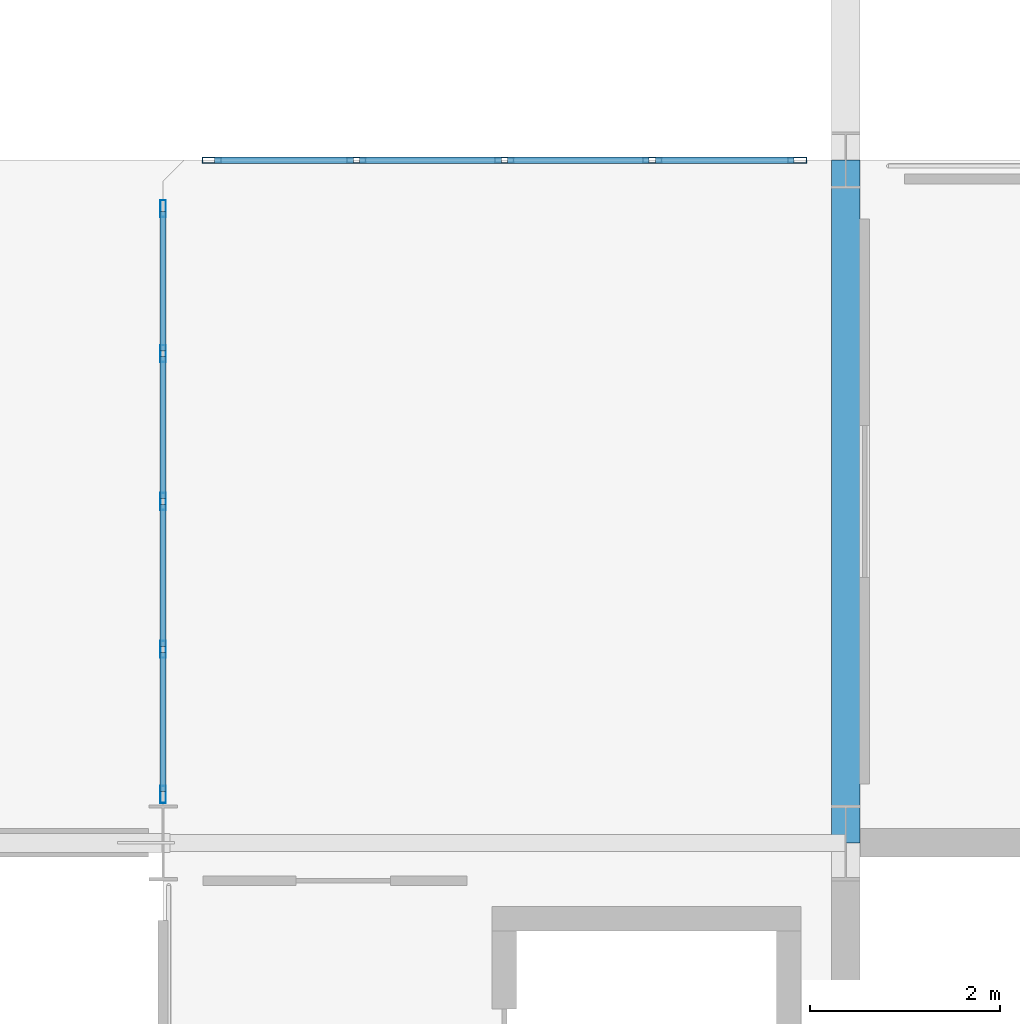
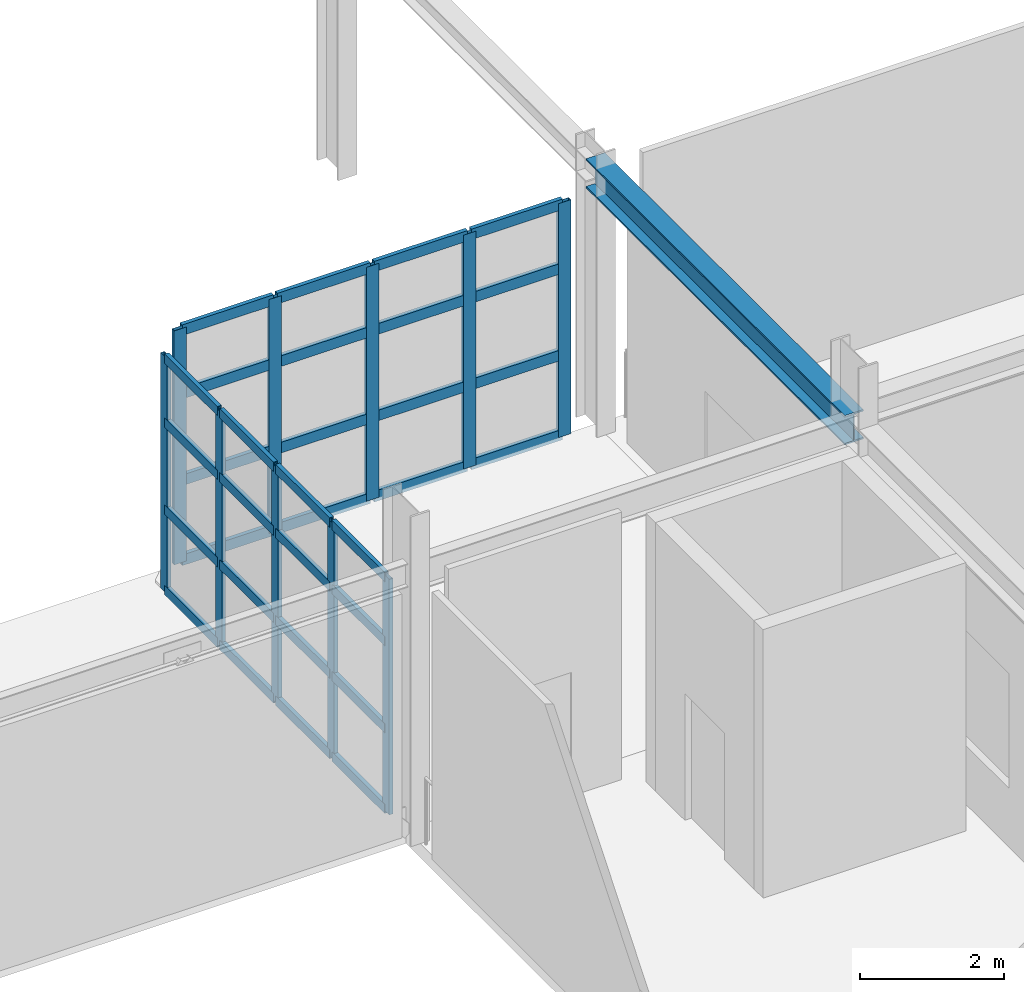
# One storey, part 62 of 126: 42 members, 1 beam, 2 elements without a shape of their own.
"""IFC4 building model written with IfcOpenShell, lengths in metres."""

from ifc_helpers import new_model, si_unit, direction, frame, origin, origin_2d, place, context, subcontext, project, spatial, hollow_rectangle, i_section, extrude, material, layer, layer_set, material_profile, profile_set, type_object, element, aggregate, save


model = new_model("IFC4")

# Units and contexts
model_context = context("Model", 3, precision=1e-05, world=origin(), true_north=direction((0.0, 1.0)))
body_context = subcontext(model_context, "Body", "Model", "MODEL_VIEW")
ifc_project = project(units=[si_unit("LENGTHUNIT", "METRE"), si_unit("AREAUNIT", "SQUARE_METRE"), si_unit("VOLUMEUNIT", "CUBIC_METRE"), si_unit("PLANEANGLEUNIT", "RADIAN"), si_unit("MASSUNIT", "GRAM", prefix="KILO")], contexts=[model_context])

# Site, building, storey
site_placement = place(None, origin())
site = spatial("IfcSite", under=ifc_project, at=site_placement, CompositionType="ELEMENT")
building_placement = place(site_placement, origin())
building = spatial("IfcBuilding", under=site, at=building_placement, Name="Solvadek Multi-Sports Hall", CompositionType="ELEMENT")
storey_placement = place(building_placement, frame((0.0, 0.0, 9.60009765625)))
storey = spatial("IfcBuildingStorey", under=building, at=storey_placement, Name="L02", CompositionType="ELEMENT", Elevation=9.60009765625)

# Curtain wall, members
ifc_material_1 = material(Name="Anodised aluminium", Category="aluminium")
ifc_layer_1 = layer(ifc_material_1, 0.159912109375, Name="Anodised aluminium")
ifc_layer_set_1 = layer_set([ifc_layer_1], Name="Anodised aluminium")
curtain_wall_type_1 = type_object("IfcCurtainWallType", Name="ENV-CW-624X400", PredefinedType="USERDEFINED", material=ifc_layer_set_1)
curtain_wall_1_placement = place(storey_placement, origin())
curtain_wall_1 = element("IfcCurtainWall", 1, at=curtain_wall_1_placement, inside=storey, type_object=curtain_wall_type_1, Name="L02 Perimeter Bay Curtain Wall #210", ObjectType="CURTAIN WALL", PredefinedType="USERDEFINED")
ifc_material_profile_1 = material_profile(ifc_material_1, hollow_rectangle(XDim=0.06005859375, YDim=0.179931640625, WallThickness=0.00390625, at=origin_2d()), Name="ALU-M 180x60x4")
ifc_profile_set_1 = profile_set([ifc_material_profile_1], Name="Anodised aluminium")
member_type_1 = type_object("IfcMemberType", Name="ENV-CWM-02", PredefinedType="MULLION", material=ifc_profile_set_1)
member_1_placement = place(storey_placement, frame((129.60009765625, 42.510009765625, 0.0), z_axis=(0.0, 0.0, 1.0), x_axis=(-1.0, 0.0, 0.0)))
member_1 = element("IfcMember", 2, at=member_1_placement, type_object=member_type_1, Name="CW-56 mullion 1", PredefinedType="MULLION", context=body_context, shape_type="SweptSolid", body=[
    extrude(hollow_rectangle(XDim=0.06005859375, YDim=0.179931640625, WallThickness=0.00390625, at=origin_2d()), origin(), (0.0, 0.0, 1.0), 4.0),
])
member_2_placement = place(storey_placement, frame((129.60009765625, 44.0400390625, 0.0), z_axis=(0.0, 0.0, 1.0), x_axis=(-1.0, 0.0, 0.0)))
member_2 = element("IfcMember", 3, at=member_2_placement, type_object=member_type_1, Name="CW-56 mullion 2", PredefinedType="MULLION", context=body_context, shape_type="SweptSolid", body=[
    extrude(hollow_rectangle(XDim=0.06005859375, YDim=0.179931640625, WallThickness=0.00390625, at=origin_2d()), origin(), (0.0, 0.0, 1.0), 4.0),
])
member_3_placement = place(storey_placement, frame((129.60009765625, 45.60009765625, 0.0), z_axis=(0.0, 0.0, 1.0), x_axis=(-1.0, 0.0, 0.0)))
member_3 = element("IfcMember", 4, at=member_3_placement, type_object=member_type_1, Name="CW-56 mullion 3", PredefinedType="MULLION", context=body_context, shape_type="SweptSolid", body=[
    extrude(hollow_rectangle(XDim=0.06005859375, YDim=0.179931640625, WallThickness=0.00390625, at=origin_2d()), origin(), (0.0, 0.0, 1.0), 4.0),
])
member_4_placement = place(storey_placement, frame((129.60009765625, 47.159912109375, 0.0), z_axis=(0.0, 0.0, 1.0), x_axis=(-1.0, 0.0, 0.0)))
member_4 = element("IfcMember", 5, at=member_4_placement, type_object=member_type_1, Name="CW-56 mullion 4", PredefinedType="MULLION", context=body_context, shape_type="SweptSolid", body=[
    extrude(hollow_rectangle(XDim=0.06005859375, YDim=0.179931640625, WallThickness=0.00390625, at=origin_2d()), origin(), (0.0, 0.0, 1.0), 4.0),
])
member_5_placement = place(storey_placement, frame((129.60009765625, 48.68994140625, 0.0), z_axis=(0.0, 0.0, 1.0), x_axis=(-1.0, 0.0, 0.0)))
member_5 = element("IfcMember", 6, at=member_5_placement, type_object=member_type_1, Name="CW-56 mullion 5", PredefinedType="MULLION", context=body_context, shape_type="SweptSolid", body=[
    extrude(hollow_rectangle(XDim=0.06005859375, YDim=0.179931640625, WallThickness=0.00390625, at=origin_2d()), origin(), (0.0, 0.0, 1.0), 4.0),
])

ifc_layer_2 = layer(ifc_material_1, 0.159912109375, Name="Anodised aluminium")
ifc_layer_set_2 = layer_set([ifc_layer_2], Name="Anodised aluminium")
curtain_wall_type_2 = type_object("IfcCurtainWallType", Name="ENV-CW-624X397", PredefinedType="USERDEFINED", material=ifc_layer_set_2)
curtain_wall_2_placement = place(storey_placement, origin())
curtain_wall_2 = element("IfcCurtainWall", 7, at=curtain_wall_2_placement, inside=storey, type_object=curtain_wall_type_2, Name="L02 Perimeter Bay Curtain Wall #211", ObjectType="CURTAIN WALL", PredefinedType="USERDEFINED")
ifc_material_profile_2 = material_profile(ifc_material_1, hollow_rectangle(XDim=0.06494140625, YDim=0.199951171875, WallThickness=0.0048828125, at=origin_2d()), Name="ALU-M 200x65x5")
ifc_profile_set_2 = profile_set([ifc_material_profile_2], Name="Anodised aluminium")
member_type_2 = type_object("IfcMemberType", Name="ENV-CWM-03", PredefinedType="MULLION", material=ifc_profile_set_2)
member_6_placement = place(storey_placement, frame((130.112548828125, 49.199951171875, 0.0), z_axis=(0.0, 0.0, 1.0), x_axis=(0.0, 1.0, 0.0)))
member_6 = element("IfcMember", 8, at=member_6_placement, type_object=member_type_2, Name="CW-57 mullion 1", PredefinedType="MULLION", context=body_context, shape_type="SweptSolid", body=[
    extrude(hollow_rectangle(XDim=0.06494140625, YDim=0.199951171875, WallThickness=0.0048828125, at=origin_2d()), origin(), (0.0, 0.0, 1.0), 3.974853515625),
])
member_7_placement = place(storey_placement, frame((131.639892578125, 49.199951171875, 0.0), z_axis=(0.0, 0.0, 1.0), x_axis=(0.0, 1.0, 0.0)))
member_7 = element("IfcMember", 9, at=member_7_placement, type_object=member_type_2, Name="CW-57 mullion 2", PredefinedType="MULLION", context=body_context, shape_type="SweptSolid", body=[
    extrude(hollow_rectangle(XDim=0.06494140625, YDim=0.199951171875, WallThickness=0.0048828125, at=origin_2d()), origin(), (0.0, 0.0, 1.0), 3.974853515625),
])
member_8_placement = place(storey_placement, frame((133.199951171875, 49.199951171875, 0.0), z_axis=(0.0, 0.0, 1.0), x_axis=(0.0, 1.0, 0.0)))
member_8 = element("IfcMember", 10, at=member_8_placement, type_object=member_type_2, Name="CW-57 mullion 3", PredefinedType="MULLION", context=body_context, shape_type="SweptSolid", body=[
    extrude(hollow_rectangle(XDim=0.06494140625, YDim=0.199951171875, WallThickness=0.0048828125, at=origin_2d()), origin(), (0.0, 0.0, 1.0), 3.974853515625),
])
member_9_placement = place(storey_placement, frame((134.760009765625, 49.199951171875, 0.0), z_axis=(0.0, 0.0, 1.0), x_axis=(0.0, 1.0, 0.0)))
member_9 = element("IfcMember", 11, at=member_9_placement, type_object=member_type_2, Name="CW-57 mullion 4", PredefinedType="MULLION", context=body_context, shape_type="SweptSolid", body=[
    extrude(hollow_rectangle(XDim=0.06494140625, YDim=0.199951171875, WallThickness=0.0048828125, at=origin_2d()), origin(), (0.0, 0.0, 1.0), 3.974853515625),
])
member_10_placement = place(storey_placement, frame((136.28759765625, 49.199951171875, 0.0), z_axis=(0.0, 0.0, 1.0), x_axis=(0.0, 1.0, 0.0)))
member_10 = element("IfcMember", 12, at=member_10_placement, type_object=member_type_2, Name="CW-57 mullion 5", PredefinedType="MULLION", context=body_context, shape_type="SweptSolid", body=[
    extrude(hollow_rectangle(XDim=0.06494140625, YDim=0.199951171875, WallThickness=0.0048828125, at=origin_2d()), origin(), (0.0, 0.0, 1.0), 3.974853515625),
])

# Member
ifc_material_profile_3 = material_profile(ifc_material_1, hollow_rectangle(XDim=0.06494140625, YDim=0.159912109375, WallThickness=0.00390625, at=origin_2d()), Name="ALU-T 160x65x4")
ifc_profile_set_3 = profile_set([ifc_material_profile_3], Name="Anodised aluminium")
member_type_3 = type_object("IfcMemberType", Name="ENV-CWT-03", PredefinedType="USERDEFINED", material=ifc_profile_set_3)
member_11_placement = place(storey_placement, frame((129.60009765625, 42.5400390625, 0.032470703125), z_axis=(0.0, 1.0, 0.0), x_axis=(-1.0, 0.0, 0.0)))
member_11 = element("IfcMember", 13, at=member_11_placement, type_object=member_type_3, Name="CW-56 transom 1.1", ObjectType="TRANSOM", PredefinedType="USERDEFINED", context=body_context, shape_type="SweptSolid", body=[
    extrude(hollow_rectangle(XDim=0.06494140625, YDim=0.159912109375, WallThickness=0.00390625, at=origin_2d()), origin(), (0.0, 0.0, 1.0), 1.469970703125),
])

member_12_placement = place(storey_placement, frame((129.60009765625, 42.5400390625, 1.39990234375), z_axis=(0.0, 1.0, 0.0), x_axis=(-1.0, 0.0, 0.0)))
member_12 = element("IfcMember", 14, at=member_12_placement, type_object=member_type_3, Name="CW-56 transom 1.2", ObjectType="TRANSOM", PredefinedType="USERDEFINED", context=body_context, shape_type="SweptSolid", body=[
    extrude(hollow_rectangle(XDim=0.06494140625, YDim=0.159912109375, WallThickness=0.00390625, at=origin_2d()), origin(), (0.0, 0.0, 1.0), 1.469970703125),
])

member_13_placement = place(storey_placement, frame((129.60009765625, 42.5400390625, 2.8798828125), z_axis=(0.0, 1.0, 0.0), x_axis=(-1.0, 0.0, 0.0)))
member_13 = element("IfcMember", 15, at=member_13_placement, type_object=member_type_3, Name="CW-56 transom 1.3", ObjectType="TRANSOM", PredefinedType="USERDEFINED", context=body_context, shape_type="SweptSolid", body=[
    extrude(hollow_rectangle(XDim=0.06494140625, YDim=0.159912109375, WallThickness=0.00390625, at=origin_2d()), origin(), (0.0, 0.0, 1.0), 1.469970703125),
])

member_14_placement = place(storey_placement, frame((129.60009765625, 42.5400390625, 3.96728515625), z_axis=(0.0, 1.0, 0.0), x_axis=(-1.0, 0.0, 0.0)))
member_14 = element("IfcMember", 16, at=member_14_placement, type_object=member_type_3, Name="CW-56 transom 1.4", ObjectType="TRANSOM", PredefinedType="USERDEFINED", context=body_context, shape_type="SweptSolid", body=[
    extrude(hollow_rectangle(XDim=0.06494140625, YDim=0.159912109375, WallThickness=0.00390625, at=origin_2d()), origin(), (0.0, 0.0, 1.0), 1.469970703125),
])

member_15_placement = place(storey_placement, frame((129.60009765625, 44.070068359375, 0.032470703125), z_axis=(0.0, 1.0, 0.0), x_axis=(-1.0, 0.0, 0.0)))
member_15 = element("IfcMember", 17, at=member_15_placement, type_object=member_type_3, Name="CW-56 transom 2.1", ObjectType="TRANSOM", PredefinedType="USERDEFINED", context=body_context, shape_type="SweptSolid", body=[
    extrude(hollow_rectangle(XDim=0.06494140625, YDim=0.159912109375, WallThickness=0.00390625, at=origin_2d()), origin(), (0.0, 0.0, 1.0), 1.5),
])

member_16_placement = place(storey_placement, frame((129.60009765625, 44.070068359375, 1.39990234375), z_axis=(0.0, 1.0, 0.0), x_axis=(-1.0, 0.0, 0.0)))
member_16 = element("IfcMember", 18, at=member_16_placement, type_object=member_type_3, Name="CW-56 transom 2.2", ObjectType="TRANSOM", PredefinedType="USERDEFINED", context=body_context, shape_type="SweptSolid", body=[
    extrude(hollow_rectangle(XDim=0.06494140625, YDim=0.159912109375, WallThickness=0.00390625, at=origin_2d()), origin(), (0.0, 0.0, 1.0), 1.5),
])

member_17_placement = place(storey_placement, frame((129.60009765625, 44.070068359375, 2.8798828125), z_axis=(0.0, 1.0, 0.0), x_axis=(-1.0, 0.0, 0.0)))
member_17 = element("IfcMember", 19, at=member_17_placement, type_object=member_type_3, Name="CW-56 transom 2.3", ObjectType="TRANSOM", PredefinedType="USERDEFINED", context=body_context, shape_type="SweptSolid", body=[
    extrude(hollow_rectangle(XDim=0.06494140625, YDim=0.159912109375, WallThickness=0.00390625, at=origin_2d()), origin(), (0.0, 0.0, 1.0), 1.5),
])

member_18_placement = place(storey_placement, frame((129.60009765625, 44.070068359375, 3.96728515625), z_axis=(0.0, 1.0, 0.0), x_axis=(-1.0, 0.0, 0.0)))
member_18 = element("IfcMember", 20, at=member_18_placement, type_object=member_type_3, Name="CW-56 transom 2.4", ObjectType="TRANSOM", PredefinedType="USERDEFINED", context=body_context, shape_type="SweptSolid", body=[
    extrude(hollow_rectangle(XDim=0.06494140625, YDim=0.159912109375, WallThickness=0.00390625, at=origin_2d()), origin(), (0.0, 0.0, 1.0), 1.5),
])

member_19_placement = place(storey_placement, frame((129.60009765625, 45.6298828125, 0.032470703125), z_axis=(0.0, 1.0, 0.0), x_axis=(-1.0, 0.0, 0.0)))
member_19 = element("IfcMember", 21, at=member_19_placement, type_object=member_type_3, Name="CW-56 transom 3.1", ObjectType="TRANSOM", PredefinedType="USERDEFINED", context=body_context, shape_type="SweptSolid", body=[
    extrude(hollow_rectangle(XDim=0.06494140625, YDim=0.159912109375, WallThickness=0.00390625, at=origin_2d()), origin(), (0.0, 0.0, 1.0), 1.5),
])

member_20_placement = place(storey_placement, frame((129.60009765625, 45.6298828125, 1.39990234375), z_axis=(0.0, 1.0, 0.0), x_axis=(-1.0, 0.0, 0.0)))
member_20 = element("IfcMember", 22, at=member_20_placement, type_object=member_type_3, Name="CW-56 transom 3.2", ObjectType="TRANSOM", PredefinedType="USERDEFINED", context=body_context, shape_type="SweptSolid", body=[
    extrude(hollow_rectangle(XDim=0.06494140625, YDim=0.159912109375, WallThickness=0.00390625, at=origin_2d()), origin(), (0.0, 0.0, 1.0), 1.5),
])

member_21_placement = place(storey_placement, frame((129.60009765625, 45.6298828125, 2.8798828125), z_axis=(0.0, 1.0, 0.0), x_axis=(-1.0, 0.0, 0.0)))
member_21 = element("IfcMember", 23, at=member_21_placement, type_object=member_type_3, Name="CW-56 transom 3.3", ObjectType="TRANSOM", PredefinedType="USERDEFINED", context=body_context, shape_type="SweptSolid", body=[
    extrude(hollow_rectangle(XDim=0.06494140625, YDim=0.159912109375, WallThickness=0.00390625, at=origin_2d()), origin(), (0.0, 0.0, 1.0), 1.5),
])

member_22_placement = place(storey_placement, frame((129.60009765625, 45.6298828125, 3.96728515625), z_axis=(0.0, 1.0, 0.0), x_axis=(-1.0, 0.0, 0.0)))
member_22 = element("IfcMember", 24, at=member_22_placement, type_object=member_type_3, Name="CW-56 transom 3.4", ObjectType="TRANSOM", PredefinedType="USERDEFINED", context=body_context, shape_type="SweptSolid", body=[
    extrude(hollow_rectangle(XDim=0.06494140625, YDim=0.159912109375, WallThickness=0.00390625, at=origin_2d()), origin(), (0.0, 0.0, 1.0), 1.5),
])

member_23_placement = place(storey_placement, frame((129.60009765625, 47.18994140625, 0.032470703125), z_axis=(0.0, 1.0, 0.0), x_axis=(-1.0, 0.0, 0.0)))
member_23 = element("IfcMember", 25, at=member_23_placement, type_object=member_type_3, Name="CW-56 transom 4.1", ObjectType="TRANSOM", PredefinedType="USERDEFINED", context=body_context, shape_type="SweptSolid", body=[
    extrude(hollow_rectangle(XDim=0.06494140625, YDim=0.159912109375, WallThickness=0.00390625, at=origin_2d()), origin(), (0.0, 0.0, 1.0), 1.469970703125),
])

member_24_placement = place(storey_placement, frame((129.60009765625, 47.18994140625, 1.39990234375), z_axis=(0.0, 1.0, 0.0), x_axis=(-1.0, 0.0, 0.0)))
member_24 = element("IfcMember", 26, at=member_24_placement, type_object=member_type_3, Name="CW-56 transom 4.2", ObjectType="TRANSOM", PredefinedType="USERDEFINED", context=body_context, shape_type="SweptSolid", body=[
    extrude(hollow_rectangle(XDim=0.06494140625, YDim=0.159912109375, WallThickness=0.00390625, at=origin_2d()), origin(), (0.0, 0.0, 1.0), 1.469970703125),
])

member_25_placement = place(storey_placement, frame((129.60009765625, 47.18994140625, 2.8798828125), z_axis=(0.0, 1.0, 0.0), x_axis=(-1.0, 0.0, 0.0)))
member_25 = element("IfcMember", 27, at=member_25_placement, type_object=member_type_3, Name="CW-56 transom 4.3", ObjectType="TRANSOM", PredefinedType="USERDEFINED", context=body_context, shape_type="SweptSolid", body=[
    extrude(hollow_rectangle(XDim=0.06494140625, YDim=0.159912109375, WallThickness=0.00390625, at=origin_2d()), origin(), (0.0, 0.0, 1.0), 1.469970703125),
])

member_26_placement = place(storey_placement, frame((129.60009765625, 47.18994140625, 3.96728515625), z_axis=(0.0, 1.0, 0.0), x_axis=(-1.0, 0.0, 0.0)))
member_26 = element("IfcMember", 28, at=member_26_placement, type_object=member_type_3, Name="CW-56 transom 4.4", ObjectType="TRANSOM", PredefinedType="USERDEFINED", context=body_context, shape_type="SweptSolid", body=[
    extrude(hollow_rectangle(XDim=0.06494140625, YDim=0.159912109375, WallThickness=0.00390625, at=origin_2d()), origin(), (0.0, 0.0, 1.0), 1.469970703125),
])

aggregate(curtain_wall_1, [member_1, member_2, member_3, member_4, member_5, member_11, member_12, member_13, member_14, member_15, member_16, member_17, member_18, member_19, member_20, member_21, member_22, member_23, member_24, member_25, member_26])

ifc_material_profile_4 = material_profile(ifc_material_1, hollow_rectangle(XDim=0.06494140625, YDim=0.179931640625, WallThickness=0.0048828125, at=origin_2d()), Name="ALU-T 180x65x5")
ifc_profile_set_4 = profile_set([ifc_material_profile_4], Name="Anodised aluminium")
member_type_4 = type_object("IfcMemberType", Name="ENV-CWT-04", PredefinedType="USERDEFINED", material=ifc_profile_set_4)
member_27_placement = place(storey_placement, frame((130.14501953125, 49.199951171875, 0.032470703125), z_axis=(1.0, 0.0, 0.0), x_axis=(0.0, 1.0, 0.0)))
member_27 = element("IfcMember", 29, at=member_27_placement, type_object=member_type_4, Name="CW-57 transom 1.1", ObjectType="TRANSOM", PredefinedType="USERDEFINED", context=body_context, shape_type="SweptSolid", body=[
    extrude(hollow_rectangle(XDim=0.06494140625, YDim=0.179931640625, WallThickness=0.0048828125, at=origin_2d()), origin(), (0.0, 0.0, 1.0), 1.46240234375),
])

member_28_placement = place(storey_placement, frame((130.14501953125, 49.199951171875, 1.390869140625), z_axis=(1.0, 0.0, 0.0), x_axis=(0.0, 1.0, 0.0)))
member_28 = element("IfcMember", 30, at=member_28_placement, type_object=member_type_4, Name="CW-57 transom 1.2", ObjectType="TRANSOM", PredefinedType="USERDEFINED", context=body_context, shape_type="SweptSolid", body=[
    extrude(hollow_rectangle(XDim=0.06494140625, YDim=0.179931640625, WallThickness=0.0048828125, at=origin_2d()), origin(), (0.0, 0.0, 1.0), 1.46240234375),
])

member_29_placement = place(storey_placement, frame((130.14501953125, 49.199951171875, 2.86181640625), z_axis=(1.0, 0.0, 0.0), x_axis=(0.0, 1.0, 0.0)))
member_29 = element("IfcMember", 31, at=member_29_placement, type_object=member_type_4, Name="CW-57 transom 1.3", ObjectType="TRANSOM", PredefinedType="USERDEFINED", context=body_context, shape_type="SweptSolid", body=[
    extrude(hollow_rectangle(XDim=0.06494140625, YDim=0.179931640625, WallThickness=0.0048828125, at=origin_2d()), origin(), (0.0, 0.0, 1.0), 1.46240234375),
])

member_30_placement = place(storey_placement, frame((130.14501953125, 49.199951171875, 3.9423828125), z_axis=(1.0, 0.0, 0.0), x_axis=(0.0, 1.0, 0.0)))
member_30 = element("IfcMember", 32, at=member_30_placement, type_object=member_type_4, Name="CW-57 transom 1.4", ObjectType="TRANSOM", PredefinedType="USERDEFINED", context=body_context, shape_type="SweptSolid", body=[
    extrude(hollow_rectangle(XDim=0.06494140625, YDim=0.179931640625, WallThickness=0.0048828125, at=origin_2d()), origin(), (0.0, 0.0, 1.0), 1.46240234375),
])

member_31_placement = place(storey_placement, frame((131.672607421875, 49.199951171875, 0.032470703125), z_axis=(1.0, 0.0, 0.0), x_axis=(0.0, 1.0, 0.0)))
member_31 = element("IfcMember", 33, at=member_31_placement, type_object=member_type_4, Name="CW-57 transom 2.1", ObjectType="TRANSOM", PredefinedType="USERDEFINED", context=body_context, shape_type="SweptSolid", body=[
    extrude(hollow_rectangle(XDim=0.06494140625, YDim=0.179931640625, WallThickness=0.0048828125, at=origin_2d()), origin(), (0.0, 0.0, 1.0), 1.494873046875),
])

member_32_placement = place(storey_placement, frame((131.672607421875, 49.199951171875, 1.390869140625), z_axis=(1.0, 0.0, 0.0), x_axis=(0.0, 1.0, 0.0)))
member_32 = element("IfcMember", 34, at=member_32_placement, type_object=member_type_4, Name="CW-57 transom 2.2", ObjectType="TRANSOM", PredefinedType="USERDEFINED", context=body_context, shape_type="SweptSolid", body=[
    extrude(hollow_rectangle(XDim=0.06494140625, YDim=0.179931640625, WallThickness=0.0048828125, at=origin_2d()), origin(), (0.0, 0.0, 1.0), 1.494873046875),
])

member_33_placement = place(storey_placement, frame((131.672607421875, 49.199951171875, 2.86181640625), z_axis=(1.0, 0.0, 0.0), x_axis=(0.0, 1.0, 0.0)))
member_33 = element("IfcMember", 35, at=member_33_placement, type_object=member_type_4, Name="CW-57 transom 2.3", ObjectType="TRANSOM", PredefinedType="USERDEFINED", context=body_context, shape_type="SweptSolid", body=[
    extrude(hollow_rectangle(XDim=0.06494140625, YDim=0.179931640625, WallThickness=0.0048828125, at=origin_2d()), origin(), (0.0, 0.0, 1.0), 1.494873046875),
])

member_34_placement = place(storey_placement, frame((131.672607421875, 49.199951171875, 3.9423828125), z_axis=(1.0, 0.0, 0.0), x_axis=(0.0, 1.0, 0.0)))
member_34 = element("IfcMember", 36, at=member_34_placement, type_object=member_type_4, Name="CW-57 transom 2.4", ObjectType="TRANSOM", PredefinedType="USERDEFINED", context=body_context, shape_type="SweptSolid", body=[
    extrude(hollow_rectangle(XDim=0.06494140625, YDim=0.179931640625, WallThickness=0.0048828125, at=origin_2d()), origin(), (0.0, 0.0, 1.0), 1.494873046875),
])

member_35_placement = place(storey_placement, frame((133.232421875, 49.199951171875, 0.032470703125), z_axis=(1.0, 0.0, 0.0), x_axis=(0.0, 1.0, 0.0)))
member_35 = element("IfcMember", 37, at=member_35_placement, type_object=member_type_4, Name="CW-57 transom 3.1", ObjectType="TRANSOM", PredefinedType="USERDEFINED", context=body_context, shape_type="SweptSolid", body=[
    extrude(hollow_rectangle(XDim=0.06494140625, YDim=0.179931640625, WallThickness=0.0048828125, at=origin_2d()), origin(), (0.0, 0.0, 1.0), 1.4951171875),
])

member_36_placement = place(storey_placement, frame((133.232421875, 49.199951171875, 1.390869140625), z_axis=(1.0, 0.0, 0.0), x_axis=(0.0, 1.0, 0.0)))
member_36 = element("IfcMember", 38, at=member_36_placement, type_object=member_type_4, Name="CW-57 transom 3.2", ObjectType="TRANSOM", PredefinedType="USERDEFINED", context=body_context, shape_type="SweptSolid", body=[
    extrude(hollow_rectangle(XDim=0.06494140625, YDim=0.179931640625, WallThickness=0.0048828125, at=origin_2d()), origin(), (0.0, 0.0, 1.0), 1.4951171875),
])

member_37_placement = place(storey_placement, frame((133.232421875, 49.199951171875, 2.86181640625), z_axis=(1.0, 0.0, 0.0), x_axis=(0.0, 1.0, 0.0)))
member_37 = element("IfcMember", 39, at=member_37_placement, type_object=member_type_4, Name="CW-57 transom 3.3", ObjectType="TRANSOM", PredefinedType="USERDEFINED", context=body_context, shape_type="SweptSolid", body=[
    extrude(hollow_rectangle(XDim=0.06494140625, YDim=0.179931640625, WallThickness=0.0048828125, at=origin_2d()), origin(), (0.0, 0.0, 1.0), 1.4951171875),
])

member_38_placement = place(storey_placement, frame((133.232421875, 49.199951171875, 3.9423828125), z_axis=(1.0, 0.0, 0.0), x_axis=(0.0, 1.0, 0.0)))
member_38 = element("IfcMember", 40, at=member_38_placement, type_object=member_type_4, Name="CW-57 transom 3.4", ObjectType="TRANSOM", PredefinedType="USERDEFINED", context=body_context, shape_type="SweptSolid", body=[
    extrude(hollow_rectangle(XDim=0.06494140625, YDim=0.179931640625, WallThickness=0.0048828125, at=origin_2d()), origin(), (0.0, 0.0, 1.0), 1.4951171875),
])

member_39_placement = place(storey_placement, frame((134.79248046875, 49.199951171875, 0.032470703125), z_axis=(1.0, 0.0, 0.0), x_axis=(0.0, 1.0, 0.0)))
member_39 = element("IfcMember", 41, at=member_39_placement, type_object=member_type_4, Name="CW-57 transom 4.1", ObjectType="TRANSOM", PredefinedType="USERDEFINED", context=body_context, shape_type="SweptSolid", body=[
    extrude(hollow_rectangle(XDim=0.06494140625, YDim=0.179931640625, WallThickness=0.0048828125, at=origin_2d()), origin(), (0.0, 0.0, 1.0), 1.46240234375),
])

member_40_placement = place(storey_placement, frame((134.79248046875, 49.199951171875, 1.390869140625), z_axis=(1.0, 0.0, 0.0), x_axis=(0.0, 1.0, 0.0)))
member_40 = element("IfcMember", 42, at=member_40_placement, type_object=member_type_4, Name="CW-57 transom 4.2", ObjectType="TRANSOM", PredefinedType="USERDEFINED", context=body_context, shape_type="SweptSolid", body=[
    extrude(hollow_rectangle(XDim=0.06494140625, YDim=0.179931640625, WallThickness=0.0048828125, at=origin_2d()), origin(), (0.0, 0.0, 1.0), 1.46240234375),
])

member_41_placement = place(storey_placement, frame((134.79248046875, 49.199951171875, 2.86181640625), z_axis=(1.0, 0.0, 0.0), x_axis=(0.0, 1.0, 0.0)))
member_41 = element("IfcMember", 43, at=member_41_placement, type_object=member_type_4, Name="CW-57 transom 4.3", ObjectType="TRANSOM", PredefinedType="USERDEFINED", context=body_context, shape_type="SweptSolid", body=[
    extrude(hollow_rectangle(XDim=0.06494140625, YDim=0.179931640625, WallThickness=0.0048828125, at=origin_2d()), origin(), (0.0, 0.0, 1.0), 1.46240234375),
])

member_42_placement = place(storey_placement, frame((134.79248046875, 49.199951171875, 3.9423828125), z_axis=(1.0, 0.0, 0.0), x_axis=(0.0, 1.0, 0.0)))
member_42 = element("IfcMember", 44, at=member_42_placement, type_object=member_type_4, Name="CW-57 transom 4.4", ObjectType="TRANSOM", PredefinedType="USERDEFINED", context=body_context, shape_type="SweptSolid", body=[
    extrude(hollow_rectangle(XDim=0.06494140625, YDim=0.179931640625, WallThickness=0.0048828125, at=origin_2d()), origin(), (0.0, 0.0, 1.0), 1.46240234375),
])

aggregate(curtain_wall_2, [member_6, member_7, member_8, member_9, member_10, member_27, member_28, member_29, member_30, member_31, member_32, member_33, member_34, member_35, member_36, member_37, member_38, member_39, member_40, member_41, member_42])

# Beam
ifc_material_2 = material(Name="Steel E350 (350 MPa)", Category="steel")
ifc_material_profile_5 = material_profile(ifc_material_2, i_section(OverallWidth=0.300048828125, OverallDepth=0.5, WebThickness=0.014404296875, FlangeThickness=0.028076171875, at=origin_2d()), Name="WPB 500")
ifc_profile_set_5 = profile_set([ifc_material_profile_5], Name="Steel E350 (350 MPa)")
beam_type = type_object("IfcBeamType", Name="STR-SPN-WPB500", PredefinedType="SPANDREL", material=ifc_profile_set_5)
beam_placement = place(storey_placement, frame((136.800048828125, 42.0, 4.309814453125), z_axis=(0.0, 1.0, 0.0), x_axis=(-1.0, 0.0, 0.0)))
element("IfcBeam", 45, at=beam_placement, inside=storey, type_object=beam_type, Name="L02 Girder SP-01 #1601", PredefinedType="SPANDREL", context=body_context, shape_type="SweptSolid", body=[
    extrude(i_section(OverallWidth=0.300048828125, OverallDepth=0.5, WebThickness=0.014404296875, FlangeThickness=0.028076171875, at=origin_2d()), origin(), (0.0, 0.0, 1.0), 7.199951171875),
])

save(model, "model.ifc")
